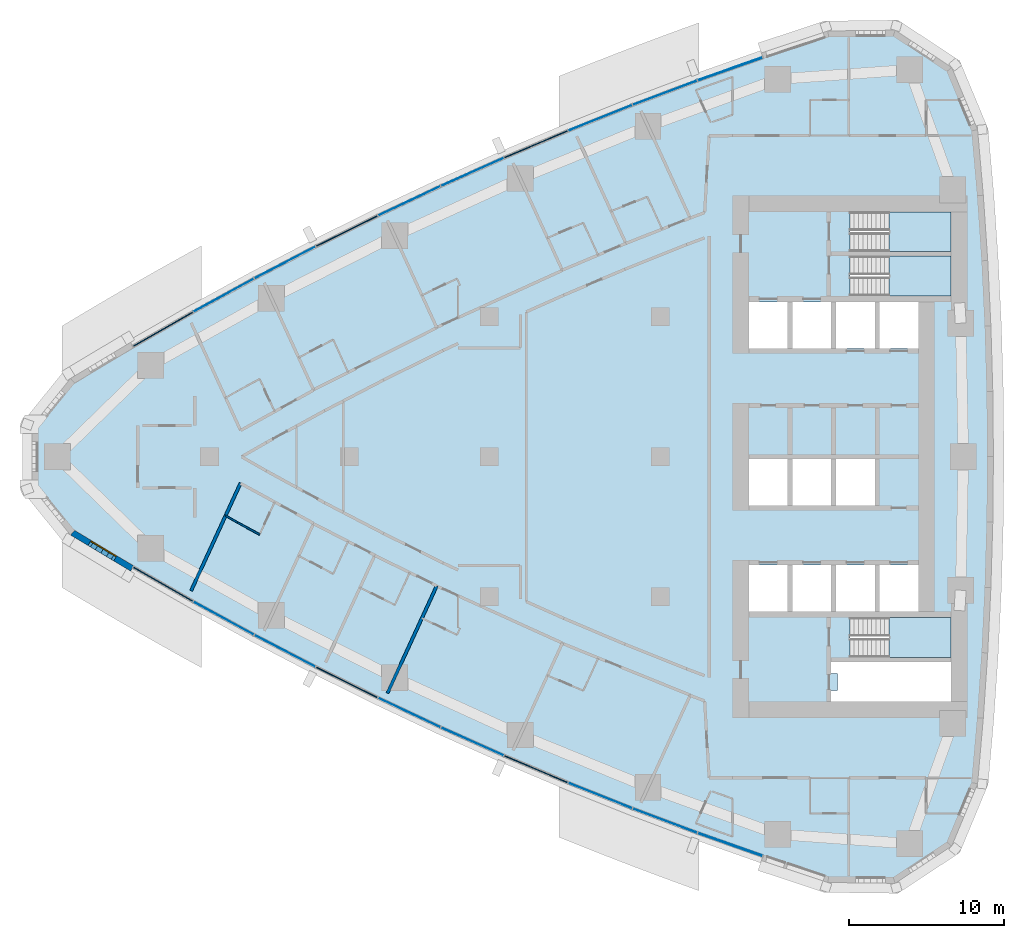
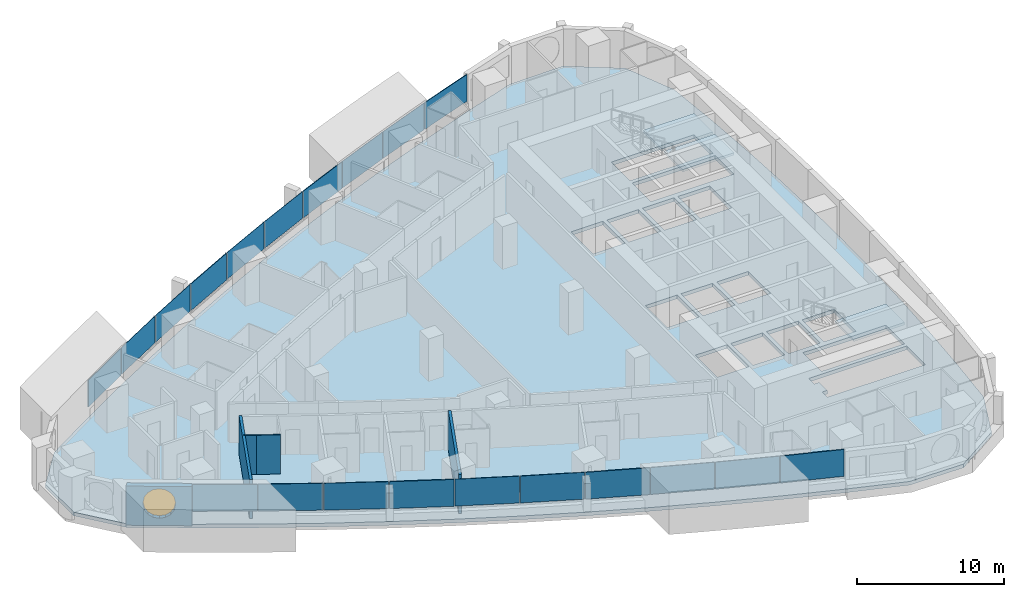
# One storey, part 7 of 17: 20 plates, 5 walls, 4 slabs, 1 window, 2 openings, 13 elements without a shape of their own.
"""IFC4 building model written with IfcOpenShell, lengths in metres."""

import ifcopenshell
import ifcopenshell.guid

model = None  # the IFC model being written
_history = None  # IfcOwnerHistory: only IFC2X3 demands one
_inside = {}  # id of a spatial element -> (the spatial element, [elements in it])
_under = {}  # id of a project, library or spatial element -> (it, [spatial elements below it])
_declared = {}  # id of a project -> (the project, [libraries it declares])
_typed = {}  # id of a type object -> (the type object, [elements of that type])
_made_of = {}  # id of a material, layer set ... -> (it, [elements and type objects made of it])


def new_model(schema):
    """Start an empty IFC model of exactly this schema.

    Asked for "IFC4X3", IfcOpenShell would pick the latest addendum, in which some entities
    have other attributes; the version numbers below select the first issue.
    IFC2X3 requires an IfcOwnerHistory on every rooted entity: one is made here for all.
    """
    global model, _history
    if schema == "IFC4X3":
        model = ifcopenshell.file(schema_version=(4, 3, 0, 0))
    else:
        model = ifcopenshell.file(schema=schema)
    _inside.clear()
    _under.clear()
    _declared.clear()
    _typed.clear()
    _made_of.clear()
    _history = None
    if model.schema == "IFC2X3":
        org = make("IfcOrganization", Name="unknown")
        user = make(
            "IfcPersonAndOrganization",
            ThePerson=make("IfcPerson", FamilyName="unknown"),
            TheOrganization=org,
        )
        app = make(
            "IfcApplication",
            ApplicationDeveloper=org,
            Version="unknown",
            ApplicationFullName="unknown",
            ApplicationIdentifier="unknown",
        )
        _history = make(
            "IfcOwnerHistory",
            OwningUser=user,
            OwningApplication=app,
            ChangeAction="ADDED",
            CreationDate=0,
        )
    return model


def make(cls, **values):
    """One entity of the class cls with the attributes given. An attribute that is None is left unset."""
    return model.create_entity(
        cls, **{name: value for name, value in values.items() if value is not None}
    )


def rooted(cls, **values):
    """An entity with a GlobalId (a new one), such as an element, a storey or a relation."""
    return make(cls, GlobalId=ifcopenshell.guid.new(), OwnerHistory=_history, **values)


def si_unit(unit_type, name, prefix=None):
    """IfcSIUnit, for example si_unit("LENGTHUNIT", "METRE", prefix="MILLI")."""
    return make("IfcSIUnit", UnitType=unit_type, Prefix=prefix, Name=name)


def assignment(units):
    """IfcUnitAssignment: the units of a project."""
    return None if units is None else make("IfcUnitAssignment", Units=units)


def point(xyz):
    """IfcCartesianPoint."""
    return None if xyz is None else make("IfcCartesianPoint", Coordinates=xyz)


def direction(xyz):
    """IfcDirection."""
    return None if xyz is None else make("IfcDirection", DirectionRatios=xyz)


def frame(location, z_axis=None, x_axis=None):
    """IfcAxis2Placement3D, a coordinate frame: its origin and axes. An axis left out is left unset."""
    return make(
        "IfcAxis2Placement3D",
        Location=point(location),
        Axis=direction(z_axis),
        RefDirection=direction(x_axis),
    )


def frame_2d(location, x_axis=None):
    """IfcAxis2Placement2D, a coordinate frame in the plane: its origin and x axis."""
    return make(
        "IfcAxis2Placement2D", Location=point(location), RefDirection=direction(x_axis)
    )


def origin():
    """The frame at (0, 0, 0) with its axes left unset."""
    return frame((0.0, 0.0, 0.0))


def origin_2d():
    """The frame at (0, 0) in the plane with its x axis left unset."""
    return frame_2d((0.0, 0.0))


def place(relative_to, where):
    """IfcLocalPlacement: puts the frame where relative to a parent placement (None: the world)."""
    return make(
        "IfcLocalPlacement", PlacementRelTo=relative_to, RelativePlacement=where
    )


def context(
    kind, dimensions, precision=None, world=None, true_north=None, identifier=None
):
    """IfcGeometricRepresentationContext, for example the 3D "Model" context."""
    return make(
        "IfcGeometricRepresentationContext",
        ContextIdentifier=identifier,
        ContextType=kind,
        CoordinateSpaceDimension=dimensions,
        Precision=precision,
        WorldCoordinateSystem=world,
        TrueNorth=true_north,
    )


def subcontext(parent, identifier, kind, view, scale=None):
    """IfcGeometricRepresentationSubContext, for example "Body" below "Model"."""
    return make(
        "IfcGeometricRepresentationSubContext",
        ContextIdentifier=identifier,
        ContextType=kind,
        ParentContext=parent,
        TargetScale=scale,
        TargetView=view,
    )


def project(units=None, contexts=None):
    """IfcProject with its units and contexts."""
    return rooted(
        "IfcProject",
        Name="project",
        RepresentationContexts=contexts,
        UnitsInContext=assignment(units),
    )


def spatial(cls, under=None, at=None, **own):
    """A site, building, storey or space (cls), placed at a placement, below another one or the project."""
    s = rooted(cls, ObjectPlacement=at, **own)
    if under is not None:
        _under.setdefault(under.id(), (under, []))[1].append(s)
    return s


def polyline(points):
    """IfcPolyline through the points."""
    return make("IfcPolyline", Points=[point(p) for p in points])


def profile(cls, at=None, kind="AREA", **sizes):
    """A parametric profile (cls). Its sizes go by their IFC names, for example OverallWidth=200.0."""
    return make(cls, ProfileType=kind, Position=at, **sizes)


def rectangle(**sizes):
    """IfcRectangleProfileDef."""
    return profile("IfcRectangleProfileDef", **sizes)


def outline(outer, holes=None, kind="AREA"):
    """IfcArbitraryClosedProfileDef: a profile drawn as a closed curve; with holes, ...WithVoids."""
    if holes is None:
        return make("IfcArbitraryClosedProfileDef", ProfileType=kind, OuterCurve=outer)
    return make(
        "IfcArbitraryProfileDefWithVoids",
        ProfileType=kind,
        OuterCurve=outer,
        InnerCurves=holes,
    )


def extrude(swept, where, along, depth):
    """IfcExtrudedAreaSolid: the profile swept, set in the frame where, extruded along a direction by depth."""
    return make(
        "IfcExtrudedAreaSolid",
        SweptArea=swept,
        Position=where,
        ExtrudedDirection=direction(along),
        Depth=depth,
    )


def shape(context_of_items, identifier, shape_type, items):
    """IfcShapeRepresentation: the items that make up one representation, for example the "Body"."""
    return make(
        "IfcShapeRepresentation",
        ContextOfItems=context_of_items,
        RepresentationIdentifier=identifier,
        RepresentationType=shape_type,
        Items=items,
    )


def material(Name=None, Category=None):
    """IfcMaterial."""
    return make("IfcMaterial", Name=Name, Category=Category)


def layer(
    of_material, thickness, ventilated=None, Name=None, Category=None, Priority=None
):
    """IfcMaterialLayer: one layer of a wall or slab, of a material (None: an air gap)."""
    return make(
        "IfcMaterialLayer",
        Material=of_material,
        LayerThickness=thickness,
        IsVentilated=ventilated,
        Name=Name,
        Category=Category,
        Priority=Priority,
    )


def layer_set(layers, Name=None):
    """IfcMaterialLayerSet."""
    return make("IfcMaterialLayerSet", MaterialLayers=layers, LayerSetName=Name)


def made_of(thing, what):
    """Note that an element or type object is made of a material, layer set ...; save() writes the relation."""
    if what is not None:
        _made_of.setdefault(what.id(), (what, []))[1].append(thing)
    return thing


def type_object(cls, material=None, **own):
    """A type object (cls), such as IfcWallType, which elements share."""
    return made_of(rooted(cls, **own), material)


def element(
    cls,
    number,
    at=None,
    inside=None,
    cuts=None,
    type_object=None,
    material=None,
    context=None,
    identifier="Body",
    shape_type=None,
    held_by="IfcProductDefinitionShape",
    body=None,
    shapes=None,
    **own,
):
    """One element of the class cls, such as IfcWall. Its Tag is "e" and its number.

    at: its placement. inside: the storey or other place that contains it. cuts: it is an
    opening in that element (IfcRelVoidsElement). A single representation is given by context,
    identifier, shape_type and body (its items); several are given by shapes. held_by: the class
    of the entity that holds the representations. save() writes the other relations.
    """
    e = rooted(cls, Tag="e%d" % number, ObjectPlacement=at, **own)
    if body is not None:
        shapes = [shape(context, identifier, shape_type, body)]
    if shapes is not None:
        e.Representation = make(held_by, Representations=shapes)
    if inside is not None:
        _inside.setdefault(inside.id(), (inside, []))[1].append(e)
    if cuts is not None:
        rooted(
            "IfcRelVoidsElement", RelatingBuildingElement=cuts, RelatedOpeningElement=e
        )
    if type_object is not None:
        _typed.setdefault(type_object.id(), (type_object, []))[1].append(e)
    return made_of(e, material)


def fill(opening, filler):
    """IfcRelFillsElement: the door or window that sits in an opening."""
    return rooted(
        "IfcRelFillsElement",
        RelatingOpeningElement=opening,
        RelatedBuildingElement=filler,
    )


def aggregate(whole, parts):
    """IfcRelAggregates: a whole, such as a stair, and the parts it consists of."""
    return rooted("IfcRelAggregates", RelatingObject=whole, RelatedObjects=parts)


def save(model, path):
    """Write the relations noted so far, then the file.

    IfcRelAggregates (storeys below a building ...), IfcRelContainedInSpatialStructure (elements
    in a storey), IfcRelDefinesByType, IfcRelAssociatesMaterial and IfcRelDeclares: one each for
    every whole, place, type object, material and project.
    """
    for whole, parts in _under.values():
        aggregate(whole, parts)
    for where, things in _inside.values():
        rooted(
            "IfcRelContainedInSpatialStructure",
            RelatedElements=things,
            RelatingStructure=where,
        )
    for kind, things in _typed.values():
        rooted("IfcRelDefinesByType", RelatedObjects=things, RelatingType=kind)
    for what, things in _made_of.values():
        rooted("IfcRelAssociatesMaterial", RelatedObjects=things, RelatingMaterial=what)
    for by, libraries in _declared.values():
        rooted("IfcRelDeclares", RelatingContext=by, RelatedDefinitions=libraries)
    model.write(path)


model = new_model("IFC4")

# Units and contexts
model_context = context("Model", 3, precision=1e-05, world=origin(), true_north=direction((0.0, 1.0)))
body_context = subcontext(model_context, "Body", "Model", "MODEL_VIEW")
ifc_project = project(units=[si_unit("LENGTHUNIT", "METRE"), si_unit("AREAUNIT", "SQUARE_METRE"), si_unit("VOLUMEUNIT", "CUBIC_METRE"), si_unit("PLANEANGLEUNIT", "RADIAN"), si_unit("MASSUNIT", "GRAM", prefix="KILO")], contexts=[model_context])

# Site, building, storey
site_placement = place(None, origin())
site = spatial("IfcSite", under=ifc_project, at=site_placement, CompositionType="ELEMENT")
building_placement = place(site_placement, origin())
building = spatial("IfcBuilding", under=site, at=building_placement, Name="Ostrand Prow Hotel Tower", CompositionType="ELEMENT")
storey_placement = place(building_placement, frame((0.0, 0.0, 95.550048828125)))
storey = spatial("IfcBuildingStorey", under=building, at=storey_placement, Name="L22", CompositionType="ELEMENT", Elevation=95.550048828125)

# Curtain wall, plate
ifc_material_1 = material(Name="Insulated glass in bronze anodised frame", Category="glass")
ifc_layer_1 = layer(ifc_material_1, 0.199951171875)
ifc_layer_set_1 = layer_set([ifc_layer_1], Name="Insulated glass in bronze anodised frame")
curtain_wall_type = type_object("IfcCurtainWallType", Name="Strip curtain wall, fritted glass over bronze spandrel", PredefinedType="NOTDEFINED", material=ifc_layer_set_1)
curtain_wall_1_placement = place(storey_placement, origin())
curtain_wall_1 = element("IfcCurtainWall", 1, at=curtain_wall_1_placement, inside=storey, type_object=curtain_wall_type, Name="CW1 run CWS1", PredefinedType="NOTDEFINED")
ifc_material_2 = material(Name="Ceramic-fritted glass", Category="glass")
ifc_layer_2 = layer(ifc_material_2, 0.031982421875)
ifc_layer_set_2 = layer_set([ifc_layer_2], Name="Ceramic-fritted glass")
plate_type_1 = type_object("IfcPlateType", Name="Dot-fritted ceramic glass unit 32 mm", PredefinedType="CURTAIN_PANEL", material=ifc_layer_set_2)
plate_1_placement = place(storey_placement, frame((16.910888671875, -10.39111328125, 1.02001953125), z_axis=(0.0, 0.0, 1.0), x_axis=(0.877466978439, -0.479637052103, 0.0)))
plate_1 = element("IfcPlate", 2, at=plate_1_placement, type_object=plate_type_1, Name="CW1 PN-D panel 2.2", PredefinedType="CURTAIN_PANEL", context=body_context, shape_type="SweptSolid", body=[
    extrude(rectangle(XDim=4.406005859375, YDim=0.031982421875, at=origin_2d()), origin(), (0.0, 0.0, 1.0), 2.22998046875),
])

curtain_wall_2_placement = place(storey_placement, origin())
curtain_wall_2 = element("IfcCurtainWall", 3, at=curtain_wall_2_placement, inside=storey, type_object=curtain_wall_type, Name="CW1 run CWS2", PredefinedType="NOTDEFINED")
plate_2_placement = place(storey_placement, frame((20.8505859375, -12.49365234375, 1.02001953125), z_axis=(0.0, 0.0, 1.0), x_axis=(0.886896367661, -0.461968432937, 0.0)))
plate_2 = element("IfcPlate", 4, at=plate_2_placement, type_object=plate_type_1, Name="CW1 PN-D panel 1.2", PredefinedType="CURTAIN_PANEL", context=body_context, shape_type="SweptSolid", body=[
    extrude(rectangle(XDim=4.406005859375, YDim=0.031982421875, at=origin_2d()), origin(), (0.0, 0.0, 1.0), 2.22998046875),
])

# Curtain wall, plates
curtain_wall_3_placement = place(storey_placement, origin())
curtain_wall_3 = element("IfcCurtainWall", 5, at=curtain_wall_3_placement, inside=storey, type_object=curtain_wall_type, Name="CW1 run CWS3", PredefinedType="NOTDEFINED")
plate_3_placement = place(storey_placement, frame((28.852783203125, -16.4599609375, 1.02001953125), z_axis=(0.0, 0.0, 1.0), x_axis=(0.904685808958, -0.426079320162, 0.0)))
plate_3 = element("IfcPlate", 6, at=plate_3_placement, type_object=plate_type_1, Name="CW1 PN-D panel 1.2", PredefinedType="CURTAIN_PANEL", context=body_context, shape_type="SweptSolid", body=[
    extrude(rectangle(XDim=4.406005859375, YDim=0.031982421875, at=origin_2d()), origin(), (0.0, 0.0, 1.0), 2.22998046875),
])
plate_4_placement = place(storey_placement, frame((32.911865234375, -18.322265625, 1.02001953125), z_axis=(0.0, 0.0, 1.0), x_axis=(0.913037887435, -0.407874755419, 0.0)))
plate_4 = element("IfcPlate", 7, at=plate_4_placement, type_object=plate_type_1, Name="CW1 PN-D panel 2.2", PredefinedType="CURTAIN_PANEL", context=body_context, shape_type="SweptSolid", body=[
    extrude(rectangle(XDim=4.406005859375, YDim=0.031982421875, at=origin_2d()), origin(), (0.0, 0.0, 1.0), 2.22998046875),
])
aggregate(curtain_wall_3, [plate_3, plate_4])

# Curtain wall, plate
curtain_wall_4_placement = place(storey_placement, origin())
curtain_wall_4 = element("IfcCurtainWall", 8, at=curtain_wall_4_placement, inside=storey, type_object=curtain_wall_type, Name="CW1 run CWS4", PredefinedType="NOTDEFINED")
plate_5_placement = place(storey_placement, frame((41.137451171875, -21.801025390625, 1.02001953125), z_axis=(0.0, 0.0, 1.0), x_axis=(0.928640008649, -0.370982121315, 0.0)))
plate_5 = element("IfcPlate", 9, at=plate_5_placement, type_object=plate_type_1, Name="CW1 PN-D panel 2.2", PredefinedType="CURTAIN_PANEL", context=body_context, shape_type="SweptSolid", body=[
    extrude(rectangle(XDim=4.406005859375, YDim=0.031982421875, at=origin_2d()), origin(), (0.0, 0.0, 1.0), 2.22998046875),
])

curtain_wall_5_placement = place(storey_placement, origin())
curtain_wall_5 = element("IfcCurtainWall", 10, at=curtain_wall_5_placement, inside=storey, type_object=curtain_wall_type, Name="CW1 run CWS5", PredefinedType="NOTDEFINED")
plate_6_placement = place(storey_placement, frame((45.301025390625, -23.416015625, 1.02001953125), z_axis=(0.0, 0.0, 1.0), x_axis=(0.935883792387, -0.35230885193, 0.0)))
plate_6 = element("IfcPlate", 11, at=plate_6_placement, type_object=plate_type_1, Name="CW1 PN-D panel 1.2", PredefinedType="CURTAIN_PANEL", context=body_context, shape_type="SweptSolid", body=[
    extrude(rectangle(XDim=4.406005859375, YDim=0.031982421875, at=origin_2d()), origin(), (0.0, 0.0, 1.0), 2.22998046875),
])

curtain_wall_6_placement = place(storey_placement, origin())
curtain_wall_6 = element("IfcCurtainWall", 12, at=curtain_wall_6_placement, inside=storey, type_object=curtain_wall_type, Name="CW1 run CWN1", PredefinedType="NOTDEFINED")
plate_7_placement = place(storey_placement, frame((45.301025390625, 23.416015625, 1.02001953125), z_axis=(0.0, 0.0, 1.0), x_axis=(-0.935883792387, -0.35230885193, 0.0)))
plate_7 = element("IfcPlate", 13, at=plate_7_placement, type_object=plate_type_1, Name="CW1 PN-D panel 2.2", PredefinedType="CURTAIN_PANEL", context=body_context, shape_type="SweptSolid", body=[
    extrude(rectangle(XDim=4.406005859375, YDim=0.031982421875, at=origin_2d()), origin(), (0.0, 0.0, 1.0), 2.22998046875),
])

curtain_wall_7_placement = place(storey_placement, origin())
curtain_wall_7 = element("IfcCurtainWall", 14, at=curtain_wall_7_placement, inside=storey, type_object=curtain_wall_type, Name="CW1 run CWN2", PredefinedType="NOTDEFINED")
plate_8_placement = place(storey_placement, frame((41.137451171875, 21.801025390625, 1.02001953125), z_axis=(0.0, 0.0, 1.0), x_axis=(-0.928640008649, -0.370982121315, 0.0)))
plate_8 = element("IfcPlate", 15, at=plate_8_placement, type_object=plate_type_1, Name="CW1 PN-D panel 1.2", PredefinedType="CURTAIN_PANEL", context=body_context, shape_type="SweptSolid", body=[
    extrude(rectangle(XDim=4.406005859375, YDim=0.031982421875, at=origin_2d()), origin(), (0.0, 0.0, 1.0), 2.22998046875),
])

# Curtain wall, plates
curtain_wall_8_placement = place(storey_placement, origin())
curtain_wall_8 = element("IfcCurtainWall", 16, at=curtain_wall_8_placement, inside=storey, type_object=curtain_wall_type, Name="CW1 run CWN3", PredefinedType="NOTDEFINED")
plate_9_placement = place(storey_placement, frame((32.911865234375, 18.322265625, 1.02001953125), z_axis=(0.0, 0.0, 1.0), x_axis=(-0.913037887435, -0.407874755419, 0.0)))
plate_9 = element("IfcPlate", 17, at=plate_9_placement, type_object=plate_type_1, Name="CW1 PN-D panel 1.2", PredefinedType="CURTAIN_PANEL", context=body_context, shape_type="SweptSolid", body=[
    extrude(rectangle(XDim=4.406005859375, YDim=0.031982421875, at=origin_2d()), origin(), (0.0, 0.0, 1.0), 2.22998046875),
])
plate_10_placement = place(storey_placement, frame((28.852783203125, 16.4599609375, 1.02001953125), z_axis=(0.0, 0.0, 1.0), x_axis=(-0.904685808958, -0.426079320162, 0.0)))
plate_10 = element("IfcPlate", 18, at=plate_10_placement, type_object=plate_type_1, Name="CW1 PN-D panel 2.2", PredefinedType="CURTAIN_PANEL", context=body_context, shape_type="SweptSolid", body=[
    extrude(rectangle(XDim=4.406005859375, YDim=0.031982421875, at=origin_2d()), origin(), (0.0, 0.0, 1.0), 2.22998046875),
])
aggregate(curtain_wall_8, [plate_9, plate_10])

# Curtain wall, plate
curtain_wall_9_placement = place(storey_placement, origin())
curtain_wall_9 = element("IfcCurtainWall", 19, at=curtain_wall_9_placement, inside=storey, type_object=curtain_wall_type, Name="CW1 run CWN4", PredefinedType="NOTDEFINED")
plate_11_placement = place(storey_placement, frame((20.8505859375, 12.49365234375, 1.02001953125), z_axis=(0.0, 0.0, 1.0), x_axis=(-0.886896367661, -0.461968432937, 0.0)))
plate_11 = element("IfcPlate", 20, at=plate_11_placement, type_object=plate_type_1, Name="CW1 PN-D panel 2.2", PredefinedType="CURTAIN_PANEL", context=body_context, shape_type="SweptSolid", body=[
    extrude(rectangle(XDim=4.406005859375, YDim=0.031982421875, at=origin_2d()), origin(), (0.0, 0.0, 1.0), 2.22998046875),
])

curtain_wall_10_placement = place(storey_placement, origin())
curtain_wall_10 = element("IfcCurtainWall", 21, at=curtain_wall_10_placement, inside=storey, type_object=curtain_wall_type, Name="CW1 run CWN5", PredefinedType="NOTDEFINED")
plate_12_placement = place(storey_placement, frame((16.910888671875, 10.39111328125, 1.02001953125), z_axis=(0.0, 0.0, 1.0), x_axis=(-0.877466978439, -0.479637052103, 0.0)))
plate_12 = element("IfcPlate", 22, at=plate_12_placement, type_object=plate_type_1, Name="CW1 PN-D panel 1.2", PredefinedType="CURTAIN_PANEL", context=body_context, shape_type="SweptSolid", body=[
    extrude(rectangle(XDim=4.406005859375, YDim=0.031982421875, at=origin_2d()), origin(), (0.0, 0.0, 1.0), 2.22998046875),
])

# Plate
ifc_material_3 = material(Name="Fritted glass in bronze vent frame", Category="glass")
ifc_layer_3 = layer(ifc_material_3, 0.06005859375)
ifc_layer_set_3 = layer_set([ifc_layer_3], Name="Fritted glass in bronze vent frame")
plate_type_2 = type_object("IfcPlateType", Name="Operable vent panel 60 mm", PredefinedType="CURTAIN_PANEL", material=ifc_layer_set_3)
plate_13_placement = place(storey_placement, frame((13.013916015625, -8.2099609375, 1.02001953125), z_axis=(0.0, 0.0, 1.0), x_axis=(0.867684775301, -0.497114806368, 0.0)))
plate_13 = element("IfcPlate", 23, at=plate_13_placement, type_object=plate_type_2, Name="CW1 PN-O panel 1.2", PredefinedType="CURTAIN_PANEL", context=body_context, shape_type="SweptSolid", body=[
    extrude(rectangle(XDim=4.406005859375, YDim=0.06005859375, at=origin_2d()), origin(), (0.0, 0.0, 1.0), 2.22998046875),
])

aggregate(curtain_wall_1, [plate_13, plate_1])

plate_14_placement = place(storey_placement, frame((24.831787109375, -14.516845703125, 1.02001953125), z_axis=(0.0, 0.0, 1.0), x_axis=(0.895970803653, -0.44411295748, 0.0)))
plate_14 = element("IfcPlate", 24, at=plate_14_placement, type_object=plate_type_2, Name="CW1 PN-O panel 2.2", PredefinedType="CURTAIN_PANEL", context=body_context, shape_type="SweptSolid", body=[
    extrude(rectangle(XDim=4.406005859375, YDim=0.06005859375, at=origin_2d()), origin(), (0.0, 0.0, 1.0), 2.22998046875),
])

aggregate(curtain_wall_2, [plate_2, plate_14])

plate_15_placement = place(storey_placement, frame((37.007080078125, -20.102783203125, 1.02001953125), z_axis=(0.0, 0.0, 1.0), x_axis=(0.921023688536, -0.389506566255, 0.0)))
plate_15 = element("IfcPlate", 25, at=plate_15_placement, type_object=plate_type_2, Name="CW1 PN-O panel 1.2", PredefinedType="CURTAIN_PANEL", context=body_context, shape_type="SweptSolid", body=[
    extrude(rectangle(XDim=4.406005859375, YDim=0.06005859375, at=origin_2d()), origin(), (0.0, 0.0, 1.0), 2.22998046875),
])

aggregate(curtain_wall_4, [plate_15, plate_5])

plate_16_placement = place(storey_placement, frame((49.49609375, -24.947509765625, 1.02001953125), z_axis=(0.0, 0.0, 1.0), x_axis=(0.942751551748, -0.333495894542, 0.0)))
plate_16 = element("IfcPlate", 26, at=plate_16_placement, type_object=plate_type_2, Name="CW1 PN-O panel 2.2", PredefinedType="CURTAIN_PANEL", context=body_context, shape_type="SweptSolid", body=[
    extrude(rectangle(XDim=4.406005859375, YDim=0.06005859375, at=origin_2d()), origin(), (0.0, 0.0, 1.0), 2.22998046875),
])

aggregate(curtain_wall_5, [plate_6, plate_16])

plate_17_placement = place(storey_placement, frame((49.49609375, 24.947509765625, 1.02001953125), z_axis=(0.0, 0.0, 1.0), x_axis=(-0.942751551748, -0.333495894542, 0.0)))
plate_17 = element("IfcPlate", 27, at=plate_17_placement, type_object=plate_type_2, Name="CW1 PN-O panel 1.2", PredefinedType="CURTAIN_PANEL", context=body_context, shape_type="SweptSolid", body=[
    extrude(rectangle(XDim=4.406005859375, YDim=0.06005859375, at=origin_2d()), origin(), (0.0, 0.0, 1.0), 2.22998046875),
])

aggregate(curtain_wall_6, [plate_17, plate_7])

plate_18_placement = place(storey_placement, frame((37.007080078125, 20.102783203125, 1.02001953125), z_axis=(0.0, 0.0, 1.0), x_axis=(-0.921023688536, -0.389506566255, 0.0)))
plate_18 = element("IfcPlate", 28, at=plate_18_placement, type_object=plate_type_2, Name="CW1 PN-O panel 2.2", PredefinedType="CURTAIN_PANEL", context=body_context, shape_type="SweptSolid", body=[
    extrude(rectangle(XDim=4.406005859375, YDim=0.06005859375, at=origin_2d()), origin(), (0.0, 0.0, 1.0), 2.22998046875),
])

aggregate(curtain_wall_7, [plate_8, plate_18])

plate_19_placement = place(storey_placement, frame((24.831787109375, 14.516845703125, 1.02001953125), z_axis=(0.0, 0.0, 1.0), x_axis=(-0.895970803653, -0.44411295748, 0.0)))
plate_19 = element("IfcPlate", 29, at=plate_19_placement, type_object=plate_type_2, Name="CW1 PN-O panel 1.2", PredefinedType="CURTAIN_PANEL", context=body_context, shape_type="SweptSolid", body=[
    extrude(rectangle(XDim=4.406005859375, YDim=0.06005859375, at=origin_2d()), origin(), (0.0, 0.0, 1.0), 2.22998046875),
])

aggregate(curtain_wall_9, [plate_19, plate_11])

plate_20_placement = place(storey_placement, frame((13.013916015625, 8.2099609375, 1.02001953125), z_axis=(0.0, 0.0, 1.0), x_axis=(-0.867684775301, -0.497114806368, 0.0)))
plate_20 = element("IfcPlate", 30, at=plate_20_placement, type_object=plate_type_2, Name="CW1 PN-O panel 2.2", PredefinedType="CURTAIN_PANEL", context=body_context, shape_type="SweptSolid", body=[
    extrude(rectangle(XDim=4.406005859375, YDim=0.06005859375, at=origin_2d()), origin(), (0.0, 0.0, 1.0), 2.22998046875),
])

aggregate(curtain_wall_10, [plate_12, plate_20])

# Slab, opening
ifc_material_4 = material(Name="Concrete C40/50", Category="concrete")
ifc_layer_4 = layer(ifc_material_4, 0.300048828125)
ifc_layer_set_4 = layer_set([ifc_layer_4], Name="Concrete C40/50")
slab_type_1 = type_object("IfcSlabType", Name="PT flat plate 300 C40/50", PredefinedType="FLOOR", material=ifc_layer_set_4)
slab_1_placement = place(storey_placement, frame((0.0, 0.0, -0.300048828125)))
slab_1 = element("IfcSlab", 31, at=slab_1_placement, inside=storey, type_object=slab_type_1, Name="Floor slab L22-1", PredefinedType="FLOOR", context=body_context, shape_type="SweptSolid", body=[
    extrude(outline(polyline([(7.150390625, 4.879638671875), (11.01806640625, 7.19970703125), (14.89501953125, 9.4208984375), (18.81591796875, 11.56396484375), (22.77880859375, 13.628173828125), (26.7822265625, 15.61279296875), (30.82470703125, 17.5166015625), (34.904541015625, 19.339111328125), (39.02001953125, 21.07958984375), (43.16943359375, 22.7373046875), (47.351318359375, 24.311279296875), (51.563720703125, 25.801513671875), (55.839599609375, 27.218505859375), (60.05615234375, 27.271728515625), (63.6103515625, 24.932861328125), (65.2294921875, 21.039306640625), (65.598876953125, 16.81201171875), (65.883544921875, 12.614501953125), (66.087158203125, 8.412353515625), (66.209228515625, 4.206787109375), (66.25, 0.0), (66.209228515625, -4.206787109375), (66.087158203125, -8.412353515625), (65.883544921875, -12.614501953125), (65.598876953125, -16.81201171875), (65.2294921875, -21.039306640625), (63.6103515625, -24.932861328125), (60.05615234375, -27.271728515625), (55.839599609375, -27.218505859375), (51.563720703125, -25.801513671875), (47.351318359375, -24.311279296875), (43.16943359375, -22.7373046875), (39.02001953125, -21.07958984375), (34.904541015625, -19.339111328125), (30.82470703125, -17.5166015625), (26.7822265625, -15.61279296875), (22.77880859375, -13.628173828125), (18.81591796875, -11.56396484375), (14.89501953125, -9.4208984375), (11.01806640625, -7.19970703125), (7.150390625, -4.879638671875), (4.75830078125, -1.923583984375), (4.75830078125, 1.923583984375), (7.150390625, 4.879638671875)]), holes=[polyline([(50.699951171875, 6.949951171875), (53.199951171875, 6.949951171875), (53.199951171875, 9.949951171875), (50.699951171875, 9.949951171875), (50.699951171875, 6.949951171875)]), polyline([(53.5, 6.949951171875), (56.0, 6.949951171875), (56.0, 9.949951171875), (53.5, 9.949951171875), (53.5, 6.949951171875)]), polyline([(56.300048828125, 6.949951171875), (58.800048828125, 6.949951171875), (58.800048828125, 9.949951171875), (56.300048828125, 9.949951171875), (56.300048828125, 6.949951171875)]), polyline([(59.10009765625, 6.949951171875), (61.60009765625, 6.949951171875), (61.60009765625, 9.949951171875), (59.10009765625, 9.949951171875), (59.10009765625, 6.949951171875)]), polyline([(50.699951171875, -3.14990234375), (53.199951171875, -3.14990234375), (53.199951171875, -0.14990234375), (50.699951171875, -0.14990234375), (50.699951171875, -3.14990234375)]), polyline([(53.5, -3.14990234375), (56.0, -3.14990234375), (56.0, -0.14990234375), (53.5, -0.14990234375), (53.5, -3.14990234375)]), polyline([(56.300048828125, -3.14990234375), (58.800048828125, -3.14990234375), (58.800048828125, -0.14990234375), (56.300048828125, -0.14990234375), (56.300048828125, -3.14990234375)]), polyline([(50.699951171875, -9.949951171875), (53.199951171875, -9.949951171875), (53.199951171875, -6.949951171875), (50.699951171875, -6.949951171875), (50.699951171875, -9.949951171875)]), polyline([(53.5, -9.949951171875), (56.0, -9.949951171875), (56.0, -6.949951171875), (53.5, -6.949951171875), (53.5, -9.949951171875)]), polyline([(56.300048828125, -9.949951171875), (58.800048828125, -9.949951171875), (58.800048828125, -6.949951171875), (56.300048828125, -6.949951171875), (56.300048828125, -9.949951171875)]), polyline([(59.10009765625, -9.949951171875), (61.60009765625, -9.949951171875), (61.60009765625, -6.949951171875), (59.10009765625, -6.949951171875), (59.10009765625, -9.949951171875)]), polyline([(57.200927734375, 10.35107421875), (57.200927734375, 12.89892578125), (63.718994140625, 12.89892578125), (63.718994140625, 10.35107421875), (57.200927734375, 10.35107421875)]), polyline([(57.200927734375, 13.200927734375), (57.200927734375, 15.7490234375), (63.718994140625, 15.7490234375), (63.718994140625, 13.200927734375), (57.200927734375, 13.200927734375)]), polyline([(57.200927734375, -12.89892578125), (57.200927734375, -10.35107421875), (63.718994140625, -10.35107421875), (63.718994140625, -12.89892578125), (57.200927734375, -12.89892578125)]), polyline([(56.0, -13.199951171875), (63.719970703125, -13.199951171875), (63.719970703125, -15.75), (56.0, -15.75), (56.0, -15.050048828125), (56.39990234375, -15.050048828125), (56.39990234375, -13.949951171875), (56.0, -13.949951171875), (56.0, -13.199951171875)])]), origin(), (0.0, 0.0, 1.0), 0.300048828125),
])
opening_1_placement = place(slab_1_placement, origin())
element("IfcOpeningElement", 32, at=opening_1_placement, cuts=slab_1, Name="Shaft opening 1", PredefinedType="OPENING", context=body_context, shape_type="SweptSolid", body=[
    extrude(outline(polyline([(56.0, -13.199951171875), (63.719970703125, -13.199951171875), (63.719970703125, -15.75), (56.0, -15.75), (56.0, -15.050048828125), (56.39990234375, -15.050048828125), (56.39990234375, -13.949951171875), (56.0, -13.949951171875), (56.0, -13.199951171875)])), origin(), (0.0, 0.0, 1.0), 0.300048828125),
])

# Stair, slab
ifc_material_5 = material(Name="Concrete C40/50", Category="concrete")
stair_type = type_object("IfcStairType", Name="Exit stair 1200 upper zone", PredefinedType="HALF_TURN_STAIR", material=ifc_material_5)
stair_1_placement = place(storey_placement, origin())
stair_1 = element("IfcStair", 33, at=stair_1_placement, inside=storey, type_object=stair_type, Name="L22 ST1C", PredefinedType="HALF_TURN_STAIR")
ifc_material_6 = material(Name="Concrete C40/50", Category="concrete")
ifc_layer_5 = layer(ifc_material_6, 0.199951171875)
ifc_layer_set_5 = layer_set([ifc_layer_5], Name="Concrete C40/50")
slab_type_2 = type_object("IfcSlabType", Name="Stair landing 200 concrete", PredefinedType="LANDING", material=ifc_layer_set_5)
slab_2_placement = place(storey_placement, frame((0.0, 0.0, 1.574951171875)))
slab_2 = element("IfcSlab", 34, at=slab_2_placement, type_object=slab_type_2, Name="ST1C landing 1", PredefinedType="LANDING", context=body_context, shape_type="SweptSolid", body=[
    extrude(outline(polyline([(59.719970703125, 10.35009765625), (63.719970703125, 10.35009765625), (63.719970703125, 12.89990234375), (59.719970703125, 12.89990234375), (59.719970703125, 10.35009765625)])), origin(), (0.0, 0.0, 1.0), 0.199951171875),
])
aggregate(stair_1, [slab_2])

stair_2_placement = place(storey_placement, origin())
stair_2 = element("IfcStair", 35, at=stair_2_placement, inside=storey, type_object=stair_type, Name="L22 ST3C", PredefinedType="HALF_TURN_STAIR")
slab_3_placement = place(storey_placement, frame((0.0, 0.0, 1.574951171875)))
slab_3 = element("IfcSlab", 36, at=slab_3_placement, type_object=slab_type_2, Name="ST3C landing 1", PredefinedType="LANDING", context=body_context, shape_type="SweptSolid", body=[
    extrude(outline(polyline([(59.719970703125, 13.199951171875), (63.719970703125, 13.199951171875), (63.719970703125, 15.75), (59.719970703125, 15.75), (59.719970703125, 13.199951171875)])), origin(), (0.0, 0.0, 1.0), 0.199951171875),
])
aggregate(stair_2, [slab_3])

stair_3_placement = place(storey_placement, origin())
stair_3 = element("IfcStair", 37, at=stair_3_placement, inside=storey, type_object=stair_type, Name="L22 ST2C", PredefinedType="HALF_TURN_STAIR")
slab_4_placement = place(storey_placement, frame((0.0, 0.0, 1.574951171875)))
slab_4 = element("IfcSlab", 38, at=slab_4_placement, type_object=slab_type_2, Name="ST2C landing 1", PredefinedType="LANDING", context=body_context, shape_type="SweptSolid", body=[
    extrude(outline(polyline([(59.719970703125, -12.89990234375), (63.719970703125, -12.89990234375), (63.719970703125, -10.35009765625), (59.719970703125, -10.35009765625), (59.719970703125, -12.89990234375)])), origin(), (0.0, 0.0, 1.0), 0.199951171875),
])
aggregate(stair_3, [slab_4])

# Walls
ifc_material_7 = material(Name="Plasterboard partition")
ifc_layer_6 = layer(ifc_material_7, 0.10009765625)
ifc_layer_set_6 = layer_set([ifc_layer_6], Name="Plasterboard partition")
wall_type_1 = type_object("IfcWallType", Name="Partition 100 bathroom wall", PredefinedType="PARTITIONING", material=ifc_layer_set_6)
wall_1_placement = place(storey_placement, frame((19.2275390625, -5.00830078125, 0.0), z_axis=(0.0, 0.0, 1.0), x_axis=(-0.877424481957, 0.479714788663, 0.0)))
element("IfcWall", 39, at=wall_1_placement, inside=storey, type_object=wall_type_1, Name="BATHROOM WALL", PredefinedType="PARTITIONING", context=body_context, shape_type="SweptSolid", body=[
    extrude(rectangle(XDim=1.62548828125, YDim=0.10009765625, at=frame_2d((0.812744140625, 0.0))), origin(), (0.0, 0.0, 1.0), 3.25),
])
wall_2_placement = place(storey_placement, frame((17.80126953125, -4.228515625, 0.0), z_axis=(0.0, 0.0, 1.0), x_axis=(-0.867629162742, 0.497211862248, 0.0)))
element("IfcWall", 40, at=wall_2_placement, inside=storey, type_object=wall_type_1, Name="BATHROOM WALL", PredefinedType="PARTITIONING", context=body_context, shape_type="SweptSolid", body=[
    extrude(rectangle(XDim=0.8818359375, YDim=0.10009765625, at=frame_2d((0.44091796875, 0.0))), origin(), (0.0, 0.0, 1.0), 3.25),
])
ifc_material_8 = material(Name="Plasterboard partition")
ifc_layer_7 = layer(ifc_material_8, 0.199951171875)
ifc_layer_set_7 = layer_set([ifc_layer_7], Name="Plasterboard partition")
wall_type_2 = type_object("IfcWallType", Name="Partition 200 key partition", PredefinedType="PARTITIONING", material=ifc_layer_set_7)
wall_3_placement = place(storey_placement, frame((14.814697265625, -8.625732421875, 0.0), z_axis=(0.0, 0.0, 1.0), x_axis=(0.417432341259, 0.908708006166, 0.0)))
element("IfcWall", 41, at=wall_3_placement, inside=storey, type_object=wall_type_2, Name="KEY PARTITION", PredefinedType="PARTITIONING", context=body_context, shape_type="SweptSolid", body=[
    extrude(rectangle(XDim=7.630615234375, YDim=0.199951171875, at=frame_2d((3.8154296875, 0.0))), origin(), (0.0, 0.0, 1.0), 3.25),
])
wall_4_placement = place(storey_placement, frame((27.449462890625, -15.20849609375, 0.0), z_axis=(0.0, 0.0, 1.0), x_axis=(0.417429919618, 0.90870911859, 0.0)))
element("IfcWall", 42, at=wall_4_placement, inside=storey, type_object=wall_type_2, Name="KEY PARTITION", PredefinedType="PARTITIONING", context=body_context, shape_type="SweptSolid", body=[
    extrude(rectangle(XDim=7.600341796875, YDim=0.199951171875, at=frame_2d((3.80029296875, 0.0))), origin(), (0.0, 0.0, 1.0), 3.25),
])

# Wall, opening, window
ifc_material_9 = material(Name="Precast concrete C40/50", Category="concrete")
ifc_layer_8 = layer(ifc_material_9, 0.39990234375)
ifc_layer_set_8 = layer_set([ifc_layer_8], Name="Precast concrete C40/50")
wall_type_3 = type_object("IfcWallType", Name="Stone-faced precast wall 400 mm", PredefinedType="NOTDEFINED", material=ifc_layer_set_8)
wall_5_placement = place(storey_placement, frame((7.1943359375, -4.8876953125, 0.0), z_axis=(0.0, 0.0, 1.0), x_axis=(0.857550776474, -0.514399325202, 0.0)))
wall_5 = element("IfcWall", 43, at=wall_5_placement, inside=storey, type_object=wall_type_3, Name="Stone-faced wall prow 5", PredefinedType="NOTDEFINED", context=body_context, shape_type="SweptSolid", body=[
    extrude(outline(polyline([(-0.035400390625, -0.199951171875), (4.468017578125, -0.199951171875), (4.468017578125, 0.199951171875), (0.035400390625, 0.199951171875), (-0.035400390625, -0.199951171875)])), origin(), (0.0, 0.0, 1.0), 3.25),
])
opening_2_placement = place(wall_5_placement, frame((1.134033203125, 0.0, 0.60009765625)))
opening_2 = element("IfcOpeningElement", 44, at=opening_2_placement, cuts=wall_5, Name="Opening WP1", PredefinedType="OPENING", context=body_context, shape_type="SweptSolid", body=[
    extrude(outline(polyline([(0.0, 1.35009765625), (0.083740234375, 1.77099609375), (0.322265625, 2.127685546875), (0.678955078125, 2.3662109375), (1.10009765625, 2.449951171875), (1.52099609375, 2.3662109375), (1.877685546875, 2.127685546875), (2.1162109375, 1.77099609375), (2.199951171875, 1.35009765625), (2.199951171875, 1.10009765625), (2.1162109375, 0.678955078125), (1.877685546875, 0.322265625), (1.52099609375, 0.083740234375), (1.10009765625, 0.0), (0.678955078125, 0.083740234375), (0.322265625, 0.322265625), (0.083740234375, 0.678955078125), (0.0, 1.099853515625), (0.0, 1.35009765625)])), frame((0.0, 0.2099609375, 0.0), z_axis=(0.0, -1.0, 0.0), x_axis=(1.0, 0.0, 0.0)), (0.0, 0.0, 1.0), 0.419921875),
])
ifc_material_10 = material(Name="Insulated glass in bronze frame", Category="glass")
window_type = type_object("IfcWindowType", Name="Round-ended prow window 2200x2450", PartitioningType="SINGLE_PANEL", PredefinedType="WINDOW", material=ifc_material_10)
window_placement = place(opening_2_placement, origin())
window = element("IfcWindow", 45, at=window_placement, inside=storey, type_object=window_type, Name="Window prow 5.1", OverallHeight=2.449951171875, OverallWidth=2.199951171875, PartitioningType="SINGLE_PANEL", PredefinedType="WINDOW", context=body_context, shape_type="SweptSolid", body=[
    extrude(outline(polyline([(0.0, 1.35009765625), (0.083740234375, 1.77099609375), (0.322265625, 2.127685546875), (0.678955078125, 2.3662109375), (1.10009765625, 2.449951171875), (1.52099609375, 2.3662109375), (1.877685546875, 2.127685546875), (2.1162109375, 1.77099609375), (2.199951171875, 1.35009765625), (2.199951171875, 1.10009765625), (2.1162109375, 0.678955078125), (1.877685546875, 0.322265625), (1.52099609375, 0.083740234375), (1.10009765625, 0.0), (0.678955078125, 0.083740234375), (0.322265625, 0.322265625), (0.083740234375, 0.678955078125), (0.0, 1.099853515625), (0.0, 1.35009765625)])), frame((0.0, 0.169921875, 0.0), z_axis=(0.0, -1.0, 0.0), x_axis=(1.0, 0.0, 0.0)), (0.0, 0.0, 1.0), 0.06005859375),
])
fill(opening_2, window)

save(model, "model.ifc")
